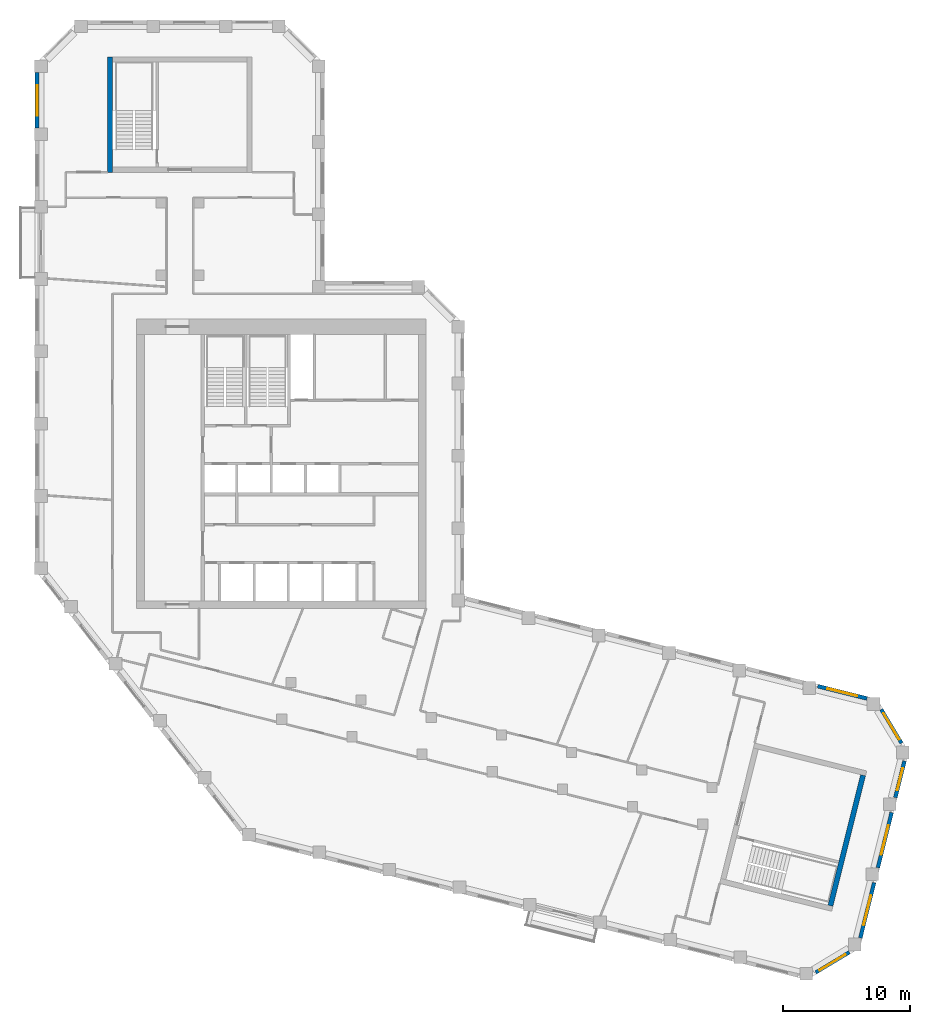
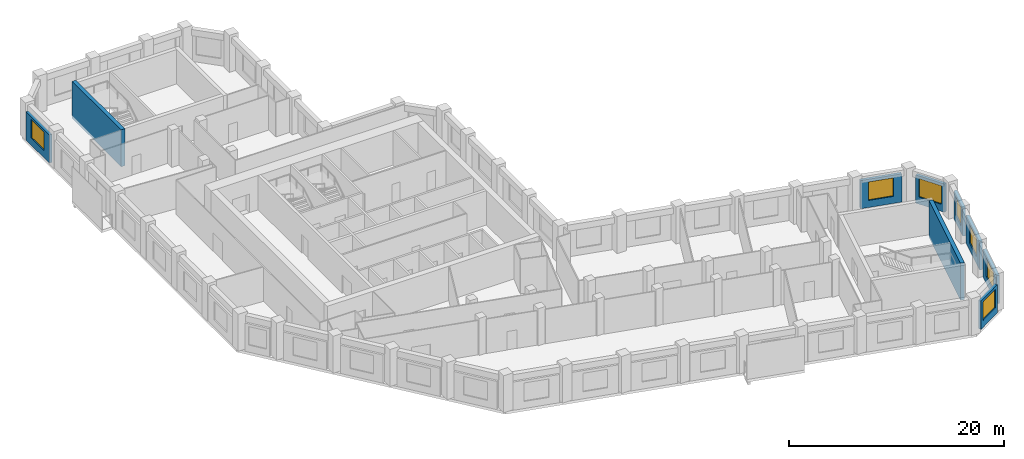
# One storey, part 7 of 9: 9 walls, 7 windows, 7 openings.
"""IFC4 building model written with IfcOpenShell, lengths in metres."""

from ifc_helpers import new_model, si_unit, direction, frame, frame_2d, origin, place, context, subcontext, project, spatial, rectangle, extrude, material, layer, layer_set, type_object, element, fill, save


model = new_model("IFC4")

# Units and contexts
model_context = context("Model", 3, precision=1e-05, world=origin(), true_north=direction((0.0, 1.0)))
body_context = subcontext(model_context, "Body", "Model", "MODEL_VIEW")
ifc_project = project(units=[si_unit("LENGTHUNIT", "METRE"), si_unit("AREAUNIT", "SQUARE_METRE"), si_unit("VOLUMEUNIT", "CUBIC_METRE"), si_unit("PLANEANGLEUNIT", "RADIAN"), si_unit("MASSUNIT", "GRAM", prefix="KILO")], contexts=[model_context])

# Site, building, storey
site_placement = place(None, origin())
site = spatial("IfcSite", under=ifc_project, at=site_placement, CompositionType="ELEMENT")
building_placement = place(site_placement, origin())
building = spatial("IfcBuilding", under=site, at=building_placement, Name="Meshkara Civic Tower", CompositionType="ELEMENT")
storey_placement = place(building_placement, frame((0.0, 0.0, 310.800048828125)))
storey = spatial("IfcBuildingStorey", under=building, at=storey_placement, Name="L71", CompositionType="ELEMENT", Elevation=310.800048828125)

# Wall, opening, window
ifc_material_1 = material(Name="Insulated infill panel with bronze anodised aluminium cladding", Category="aluminium")
ifc_layer_1 = layer(ifc_material_1, 0.300048828125)
ifc_layer_set_1 = layer_set([ifc_layer_1], Name="EXTERNAL INFILL WALL 300")
wall_type_1 = type_object("IfcWallType", Name="EXTERNAL INFILL WALL 300", PredefinedType="SOLIDWALL", material=ifc_layer_set_1)
wall_1_placement = place(storey_placement, frame((65.548095703125, 7.0, 0.0), z_axis=(0.0, 0.0, 1.0), x_axis=(-0.970260773365, 0.242062040951, 0.0)))
wall_1 = element("IfcWall", 1, at=wall_1_placement, inside=storey, type_object=wall_type_1, Name="External wall", PredefinedType="SOLIDWALL", context=body_context, shape_type="SweptSolid", body=[
    extrude(rectangle(XDim=4.003173828125, YDim=0.300048828125, at=frame_2d((2.00146484375, 0.0))), origin(), (0.0, 0.0, 1.0), 3.199951171875),
])
opening_1_placement = place(wall_1_placement, frame((0.801025390625, 0.0, 0.800048828125)))
opening_1 = element("IfcOpeningElement", 2, at=opening_1_placement, cuts=wall_1, Name="Opening W7", PredefinedType="OPENING", context=body_context, shape_type="SweptSolid", body=[
    extrude(rectangle(XDim=2.39990234375, YDim=2.10009765625, at=frame_2d((1.199951171875, 1.050048828125))), frame((0.0, 0.159912109375, 0.0), z_axis=(0.0, -1.0, 0.0), x_axis=(1.0, 0.0, 0.0)), (0.0, 0.0, 1.0), 0.320068359375),
])
ifc_material_2 = material(Name="Tinted double glazing", Category="glass")
window_type_1 = type_object("IfcWindowType", Name="WINDOW 2400x2100", PartitioningType="DOUBLE_PANEL_VERTICAL", PredefinedType="WINDOW", material=ifc_material_2)
window_1_placement = place(opening_1_placement, origin())
window_1 = element("IfcWindow", 3, at=window_1_placement, inside=storey, type_object=window_type_1, Name="Window", OverallHeight=2.10009765625, OverallWidth=2.39990234375, PartitioningType="DOUBLE_PANEL_VERTICAL", PredefinedType="WINDOW", context=body_context, shape_type="SweptSolid", body=[
    extrude(rectangle(XDim=2.39990234375, YDim=2.10009765625, at=frame_2d((1.199951171875, 1.050048828125))), frame((0.0, 0.030029296875, 0.0), z_axis=(0.0, -1.0, 0.0), x_axis=(1.0, 0.0, 0.0)), (0.0, 0.0, 1.0), 0.06005859375),
])
fill(opening_1, window_1)

wall_2_placement = place(storey_placement, frame((0.14990234375, 56.31396484375, 0.0), z_axis=(0.0, 0.0, 1.0), x_axis=(0.0, -1.0, 0.0)))
wall_2 = element("IfcWall", 4, at=wall_2_placement, inside=storey, type_object=wall_type_1, Name="External wall", PredefinedType="SOLIDWALL", context=body_context, shape_type="SweptSolid", body=[
    extrude(rectangle(XDim=4.35888671875, YDim=0.300048828125, at=frame_2d((2.179443359375, 0.0))), origin(), (0.0, 0.0, 1.0), 3.199951171875),
])
opening_2_placement = place(wall_2_placement, frame((0.97998046875, 0.0, 0.800048828125)))
opening_2 = element("IfcOpeningElement", 5, at=opening_2_placement, cuts=wall_2, Name="Opening W7", PredefinedType="OPENING", context=body_context, shape_type="SweptSolid", body=[
    extrude(rectangle(XDim=2.39990234375, YDim=2.10009765625, at=frame_2d((1.199951171875, 1.050048828125))), frame((0.0, 0.159912109375, 0.0), z_axis=(0.0, -1.0, 0.0), x_axis=(1.0, 0.0, 0.0)), (0.0, 0.0, 1.0), 0.320068359375),
])
window_2_placement = place(opening_2_placement, origin())
window_2 = element("IfcWindow", 6, at=window_2_placement, inside=storey, type_object=window_type_1, Name="Window", OverallHeight=2.10009765625, OverallWidth=2.39990234375, PartitioningType="DOUBLE_PANEL_VERTICAL", PredefinedType="WINDOW", context=body_context, shape_type="SweptSolid", body=[
    extrude(rectangle(XDim=2.39990234375, YDim=2.10009765625, at=frame_2d((1.199951171875, 1.050048828125))), frame((0.0, 0.030029296875, 0.0), z_axis=(0.0, -1.0, 0.0), x_axis=(1.0, 0.0, 0.0)), (0.0, 0.0, 1.0), 0.06005859375),
])
fill(opening_2, window_2)

wall_3_placement = place(storey_placement, frame((61.509033203125, -14.591064453125, 0.0), z_axis=(0.0, 0.0, 1.0), x_axis=(0.856969799001, 0.515366630275, 0.0)))
wall_3 = element("IfcWall", 7, at=wall_3_placement, inside=storey, type_object=wall_type_1, Name="External wall", PredefinedType="SOLIDWALL", context=body_context, shape_type="SweptSolid", body=[
    extrude(rectangle(XDim=3.091064453125, YDim=0.300048828125, at=frame_2d((1.54541015625, 0.0))), origin(), (0.0, 0.0, 1.0), 3.199951171875),
])
opening_3_placement = place(wall_3_placement, frame((0.344970703125, 0.0, 0.800048828125)))
opening_3 = element("IfcOpeningElement", 8, at=opening_3_placement, cuts=wall_3, Name="Opening W7", PredefinedType="OPENING", context=body_context, shape_type="SweptSolid", body=[
    extrude(rectangle(XDim=2.39990234375, YDim=2.10009765625, at=frame_2d((1.199951171875, 1.050048828125))), frame((0.0, 0.159912109375, 0.0), z_axis=(0.0, -1.0, 0.0), x_axis=(1.0, 0.0, 0.0)), (0.0, 0.0, 1.0), 0.320068359375),
])
window_3_placement = place(opening_3_placement, origin())
window_3 = element("IfcWindow", 9, at=window_3_placement, inside=storey, type_object=window_type_1, Name="Window", OverallHeight=2.10009765625, OverallWidth=2.39990234375, PartitioningType="DOUBLE_PANEL_VERTICAL", PredefinedType="WINDOW", context=body_context, shape_type="SweptSolid", body=[
    extrude(rectangle(XDim=2.39990234375, YDim=2.10009765625, at=frame_2d((1.199951171875, 1.050048828125))), frame((0.0, 0.030029296875, 0.0), z_axis=(0.0, -1.0, 0.0), x_axis=(1.0, 0.0, 0.0)), (0.0, 0.0, 1.0), 0.06005859375),
])
fill(opening_3, window_3)

wall_4_placement = place(storey_placement, frame((65.029052734375, -11.8720703125, 0.0), z_axis=(0.0, 0.0, 1.0), x_axis=(0.241946839653, 0.970289506684, 0.0)))
wall_4 = element("IfcWall", 10, at=wall_4_placement, inside=storey, type_object=wall_type_1, Name="External wall", PredefinedType="SOLIDWALL", context=body_context, shape_type="SweptSolid", body=[
    extrude(rectangle(XDim=4.48828125, YDim=0.300048828125, at=frame_2d((2.244140625, 0.0))), origin(), (0.0, 0.0, 1.0), 3.199951171875),
])
opening_4_placement = place(wall_4_placement, frame((1.0439453125, 0.0, 0.800048828125)))
opening_4 = element("IfcOpeningElement", 11, at=opening_4_placement, cuts=wall_4, Name="Opening W7", PredefinedType="OPENING", context=body_context, shape_type="SweptSolid", body=[
    extrude(rectangle(XDim=2.39990234375, YDim=2.10009765625, at=frame_2d((1.199951171875, 1.050048828125))), frame((0.0, 0.159912109375, 0.0), z_axis=(0.0, -1.0, 0.0), x_axis=(1.0, 0.0, 0.0)), (0.0, 0.0, 1.0), 0.320068359375),
])
window_4_placement = place(opening_4_placement, origin())
window_4 = element("IfcWindow", 12, at=window_4_placement, inside=storey, type_object=window_type_1, Name="Window", OverallHeight=2.10009765625, OverallWidth=2.39990234375, PartitioningType="DOUBLE_PANEL_VERTICAL", PredefinedType="WINDOW", context=body_context, shape_type="SweptSolid", body=[
    extrude(rectangle(XDim=2.39990234375, YDim=2.10009765625, at=frame_2d((1.199951171875, 1.050048828125))), frame((0.0, 0.030029296875, 0.0), z_axis=(0.0, -1.0, 0.0), x_axis=(1.0, 0.0, 0.0)), (0.0, 0.0, 1.0), 0.06005859375),
])
fill(opening_4, window_4)

wall_5_placement = place(storey_placement, frame((66.407958984375, -6.341064453125, 0.0), z_axis=(0.0, 0.0, 1.0), x_axis=(0.241997928406, 0.970276766004, 0.0)))
wall_5 = element("IfcWall", 13, at=wall_5_placement, inside=storey, type_object=wall_type_1, Name="External wall", PredefinedType="SOLIDWALL", context=body_context, shape_type="SweptSolid", body=[
    extrude(rectangle(XDim=4.4873046875, YDim=0.300048828125, at=frame_2d((2.24365234375, 0.0))), origin(), (0.0, 0.0, 1.0), 3.199951171875),
])
opening_5_placement = place(wall_5_placement, frame((1.0439453125, 0.0, 0.800048828125)))
opening_5 = element("IfcOpeningElement", 14, at=opening_5_placement, cuts=wall_5, Name="Opening W7", PredefinedType="OPENING", context=body_context, shape_type="SweptSolid", body=[
    extrude(rectangle(XDim=2.39990234375, YDim=2.10009765625, at=frame_2d((1.199951171875, 1.050048828125))), frame((0.0, 0.159912109375, 0.0), z_axis=(0.0, -1.0, 0.0), x_axis=(1.0, 0.0, 0.0)), (0.0, 0.0, 1.0), 0.320068359375),
])
window_5_placement = place(opening_5_placement, origin())
window_5 = element("IfcWindow", 15, at=window_5_placement, inside=storey, type_object=window_type_1, Name="Window", OverallHeight=2.10009765625, OverallWidth=2.39990234375, PartitioningType="DOUBLE_PANEL_VERTICAL", PredefinedType="WINDOW", context=body_context, shape_type="SweptSolid", body=[
    extrude(rectangle(XDim=2.39990234375, YDim=2.10009765625, at=frame_2d((1.199951171875, 1.050048828125))), frame((0.0, 0.030029296875, 0.0), z_axis=(0.0, -1.0, 0.0), x_axis=(1.0, 0.0, 0.0)), (0.0, 0.0, 1.0), 0.06005859375),
])
fill(opening_5, window_5)

wall_6_placement = place(storey_placement, frame((67.787109375, -0.81103515625, 0.0), z_axis=(0.0, 0.0, 1.0), x_axis=(0.242052773757, 0.970263085311, 0.0)))
wall_6 = element("IfcWall", 16, at=wall_6_placement, inside=storey, type_object=wall_type_1, Name="External wall", PredefinedType="SOLIDWALL", context=body_context, shape_type="SweptSolid", body=[
    extrude(rectangle(XDim=2.974365234375, YDim=0.300048828125, at=frame_2d((1.4873046875, 0.0))), origin(), (0.0, 0.0, 1.0), 3.199951171875),
])
opening_6_placement = place(wall_6_placement, frame((0.5869140625, 0.0, 0.800048828125)))
opening_6 = element("IfcOpeningElement", 17, at=opening_6_placement, cuts=wall_6, Name="Opening W9", PredefinedType="OPENING", context=body_context, shape_type="SweptSolid", body=[
    extrude(rectangle(XDim=1.800048828125, YDim=2.10009765625, at=frame_2d((0.89990234375, 1.050048828125))), frame((0.0, 0.159912109375, 0.0), z_axis=(0.0, -1.0, 0.0), x_axis=(1.0, 0.0, 0.0)), (0.0, 0.0, 1.0), 0.320068359375),
])
ifc_material_3 = material(Name="Tinted double glazing", Category="glass")
window_type_2 = type_object("IfcWindowType", Name="WINDOW 1800x2100", PartitioningType="DOUBLE_PANEL_VERTICAL", PredefinedType="WINDOW", material=ifc_material_3)
window_6_placement = place(opening_6_placement, origin())
window_6 = element("IfcWindow", 18, at=window_6_placement, inside=storey, type_object=window_type_2, Name="Window", OverallHeight=2.10009765625, OverallWidth=1.800048828125, PartitioningType="DOUBLE_PANEL_VERTICAL", PredefinedType="WINDOW", context=body_context, shape_type="SweptSolid", body=[
    extrude(rectangle(XDim=1.800048828125, YDim=2.10009765625, at=frame_2d((0.89990234375, 1.050048828125))), frame((0.0, 0.030029296875, 0.0), z_axis=(0.0, -1.0, 0.0), x_axis=(1.0, 0.0, 0.0)), (0.0, 0.0, 1.0), 0.06005859375),
])
fill(opening_6, window_6)

wall_7_placement = place(storey_placement, frame((68.26611328125, 3.47900390625, 0.0), z_axis=(0.0, 0.0, 1.0), x_axis=(-0.514995068029, 0.857193140375, 0.0)))
wall_7 = element("IfcWall", 19, at=wall_7_placement, inside=storey, type_object=wall_type_1, Name="External wall", PredefinedType="SOLIDWALL", context=body_context, shape_type="SweptSolid", body=[
    extrude(rectangle(XDim=3.09130859375, YDim=0.300048828125, at=frame_2d((1.545654296875, 0.0))), origin(), (0.0, 0.0, 1.0), 3.199951171875),
])
opening_7_placement = place(wall_7_placement, frame((0.345947265625, 0.0, 0.800048828125)))
opening_7 = element("IfcOpeningElement", 20, at=opening_7_placement, cuts=wall_7, Name="Opening W7", PredefinedType="OPENING", context=body_context, shape_type="SweptSolid", body=[
    extrude(rectangle(XDim=2.39990234375, YDim=2.10009765625, at=frame_2d((1.199951171875, 1.050048828125))), frame((0.0, 0.159912109375, 0.0), z_axis=(0.0, -1.0, 0.0), x_axis=(1.0, 0.0, 0.0)), (0.0, 0.0, 1.0), 0.320068359375),
])
window_7_placement = place(opening_7_placement, origin())
window_7 = element("IfcWindow", 21, at=window_7_placement, inside=storey, type_object=window_type_1, Name="Window", OverallHeight=2.10009765625, OverallWidth=2.39990234375, PartitioningType="DOUBLE_PANEL_VERTICAL", PredefinedType="WINDOW", context=body_context, shape_type="SweptSolid", body=[
    extrude(rectangle(XDim=2.39990234375, YDim=2.10009765625, at=frame_2d((1.199951171875, 1.050048828125))), frame((0.0, 0.030029296875, 0.0), z_axis=(0.0, -1.0, 0.0), x_axis=(1.0, 0.0, 0.0)), (0.0, 0.0, 1.0), 0.06005859375),
])
fill(opening_7, window_7)

# Walls
ifc_material_4 = material(Name="Concrete C60", Category="concrete")
ifc_layer_2 = layer(ifc_material_4, 0.39990234375)
ifc_layer_set_2 = layer_set([ifc_layer_2], Name="End core ring wall 400 C60")
wall_type_2 = type_object("IfcWallType", Name="End core ring wall 400 C60", PredefinedType="SHEAR", material=ifc_layer_set_2)
wall_8_placement = place(storey_placement, frame((5.89990234375, 48.469970703125, -0.300048828125), z_axis=(0.0, 0.0, 1.0), x_axis=(0.0, 1.0, 0.0)))
element("IfcWall", 22, at=wall_8_placement, inside=storey, type_object=wall_type_2, Name="L71-C027", PredefinedType="SHEAR", context=body_context, shape_type="SweptSolid", body=[
    extrude(rectangle(XDim=9.10009765625, YDim=0.39990234375, at=frame_2d((4.550048828125, 0.0))), origin(), (0.0, 0.0, 1.0), 4.199951171875),
])
wall_9_placement = place(storey_placement, frame((62.672119140625, -9.339111328125, -0.300048828125), z_axis=(0.0, 0.0, 1.0), x_axis=(0.241971982666, 0.970283236795, 0.0)))
element("IfcWall", 23, at=wall_9_placement, inside=storey, type_object=wall_type_2, Name="L71-C035", PredefinedType="SHEAR", context=body_context, shape_type="SweptSolid", body=[
    extrude(rectangle(XDim=10.60009765625, YDim=0.39990234375, at=frame_2d((5.300048828125, 0.0))), origin(), (0.0, 0.0, 1.0), 4.199951171875),
])

save(model, "model.ifc")
